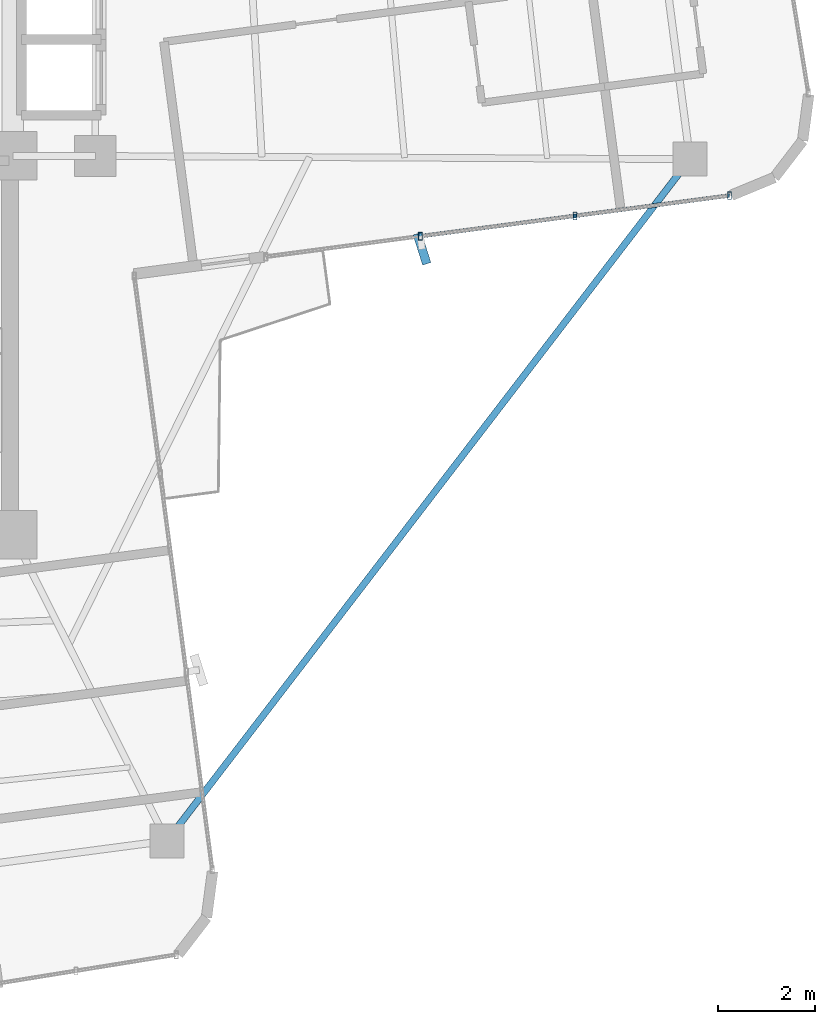
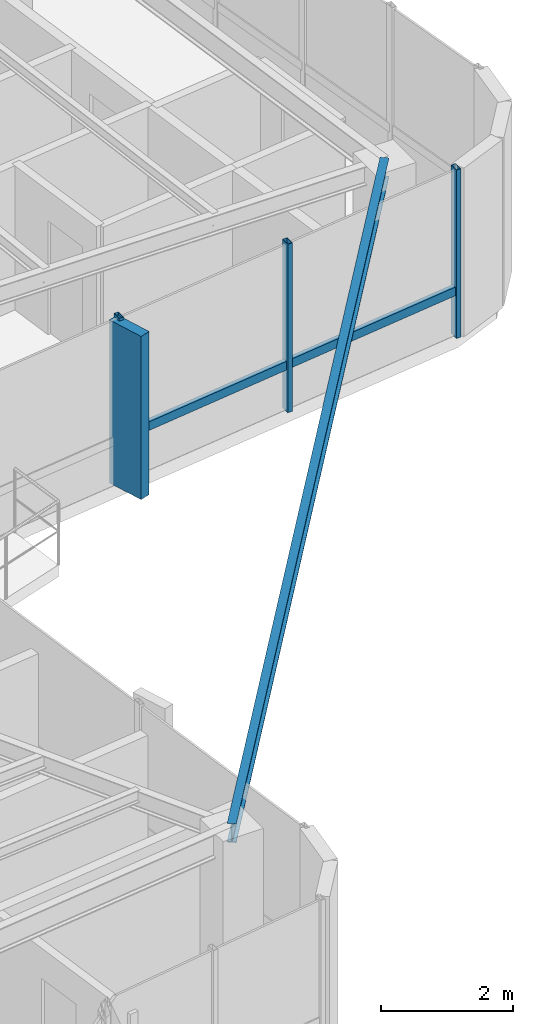
# One storey, part 12 of 22: 6 members, 1 beam, 1 element without a shape of its own.
"""IFC4 building model written with IfcOpenShell, lengths in metres."""

from ifc_helpers import new_model, si_unit, direction, frame, origin, origin_2d, place, context, subcontext, project, spatial, rectangle, hollow_rectangle, i_section, extrude, source, transform, mapped, material, material_profile, profile_set, type_object, element, aggregate, save


model = new_model("IFC4")

# Units and contexts
model_context = context("Model", 3, precision=1e-05, world=origin(), true_north=direction((0.0, 1.0)))
body_context = subcontext(model_context, "Body", "Model", "MODEL_VIEW")
ifc_project = project(units=[si_unit("LENGTHUNIT", "METRE"), si_unit("AREAUNIT", "SQUARE_METRE"), si_unit("VOLUMEUNIT", "CUBIC_METRE"), si_unit("PLANEANGLEUNIT", "RADIAN"), si_unit("MASSUNIT", "GRAM", prefix="KILO")], contexts=[model_context])

# Site, building, storey
site_placement = place(None, origin())
site = spatial("IfcSite", under=ifc_project, at=site_placement, CompositionType="ELEMENT")
building_placement = place(site_placement, origin())
building = spatial("IfcBuilding", under=site, at=building_placement, Name="Sahyath Konkavel Grand Hotel", CompositionType="ELEMENT")
storey_placement = place(building_placement, frame((0.0, 0.0, 247.85009765625)))
storey = spatial("IfcBuildingStorey", under=building, at=storey_placement, Name="L69", CompositionType="ELEMENT", Elevation=247.85009765625)

# Beam
ifc_material_1 = material(Name="Steel E350", Category="steel")
ifc_material_profile_1 = material_profile(ifc_material_1, i_section(OverallWidth=0.139892578125, OverallDepth=0.35009765625, WebThickness=0.008056640625, FlangeThickness=0.01416015625, FilletRadius=0.013916015625, at=origin_2d()), Name="ISMB 350")
ifc_profile_set_1 = profile_set([ifc_material_profile_1], Name="Steel E350")
beam_type = type_object("IfcBeamType", Name="BM-ISMB350", PredefinedType="BEAM", material=ifc_profile_set_1)
shared_shape_1 = source(origin(), body_context, "Body", "SweptSolid", [
    extrude(i_section(OverallWidth=0.139892578125, OverallDepth=0.35009765625, WebThickness=0.008056640625, FlangeThickness=0.01416015625, FilletRadius=0.013916015625, at=origin_2d()), origin(), (0.0, 0.0, 1.0), 17.70166015625),
])
beam_placement = place(storey_placement, frame((17.75390625, -2.466796875, 2.934814453125), z_axis=(-0.608761860187, -0.793353009437, 0.0), x_axis=(0.793353009437, -0.608761860187, 0.0)))
element("IfcBeam", 1, at=beam_placement, inside=storey, type_object=beam_type, Name="L69 Re-Entrant Tie Beam SE", PredefinedType="BEAM", context=body_context, shape_type="MappedRepresentation", body=[
    mapped(shared_shape_1, transform((0.0, 0.0, 0.0), scale=1.0)),
])

# Curtain wall, members
ifc_material_2 = material(Name="Anodised Bronze Aluminium & Low-E Glazing", Category="aluminium")
curtain_wall_type = type_object("IfcCurtainWallType", Name="CW-ZONE4", PredefinedType="NOTDEFINED", material=ifc_material_2)
curtain_wall_placement = place(storey_placement, origin())
curtain_wall = element("IfcCurtainWall", 2, at=curtain_wall_placement, inside=storey, type_object=curtain_wall_type, Name="L69 Unitised Curtain Wall F0", PredefinedType="NOTDEFINED")
ifc_material_3 = material(Name="Anodised Bronze Aluminium", Category="aluminium")
ifc_material_profile_2 = material_profile(ifc_material_3, hollow_rectangle(XDim=0.080078125, YDim=0.159912109375, WallThickness=0.006103515625, at=origin_2d()), Name="RHS 160x80x6")
ifc_profile_set_2 = profile_set([ifc_material_profile_2], Name="Anodised Bronze Aluminium")
member_type_1 = type_object("IfcMemberType", Name="CW-MUL-160", PredefinedType="MULLION", material=ifc_profile_set_2)
shared_shape_2 = source(origin(), body_context, "Body", "SweptSolid", [
    extrude(hollow_rectangle(XDim=0.080078125, YDim=0.159912109375, WallThickness=0.006103515625, at=origin_2d()), origin(), (0.0, 0.0, 1.0), 3.10986328125),
])
member_1_placement = place(storey_placement, frame((12.198974609375, -4.055419921875, 0.0), z_axis=(0.0, 0.0, 1.0), x_axis=(1.0, 0.0, 0.0)))
member_1 = element("IfcMember", 3, at=member_1_placement, type_object=member_type_1, Name="L69 Curtain Wall Mullion F0-1", PredefinedType="MULLION", context=body_context, shape_type="MappedRepresentation", body=[
    mapped(shared_shape_2, transform((0.0, 0.0, 0.0), scale=1.0)),
])
member_2_placement = place(storey_placement, frame((15.3837890625, -3.635986328125, 0.0), z_axis=(0.0, 0.0, 1.0), x_axis=(1.0, 0.0, 0.0)))
member_2 = element("IfcMember", 4, at=member_2_placement, type_object=member_type_1, Name="L69 Curtain Wall Mullion F0-2", PredefinedType="MULLION", context=body_context, shape_type="MappedRepresentation", body=[
    mapped(shared_shape_2, transform((0.0, 0.0, 0.0), scale=1.0)),
])
member_3_placement = place(storey_placement, frame((18.568603515625, -3.216796875, 0.0), z_axis=(0.0, 0.0, 1.0), x_axis=(1.0, 0.0, 0.0)))
member_3 = element("IfcMember", 5, at=member_3_placement, type_object=member_type_1, Name="L69 Curtain Wall Mullion F0-3", PredefinedType="MULLION", context=body_context, shape_type="MappedRepresentation", body=[
    mapped(shared_shape_2, transform((0.0, 0.0, 0.0), scale=1.0)),
])
ifc_material_4 = material(Name="Warm Buff Sandstone Cladding on Concrete C50/60", Category="masonry")
ifc_material_profile_3 = material_profile(ifc_material_4, rectangle(XDim=0.179931640625, YDim=0.64990234375, at=origin_2d()), Name="FIN 180x650")
ifc_profile_set_3 = profile_set([ifc_material_profile_3], Name="Warm Buff Sandstone Cladding on Concrete C50/60")
member_type_2 = type_object("IfcMemberType", Name="FIN-SANDSTONE-650", PredefinedType="MULLION", material=ifc_profile_set_3)
shared_shape_3 = source(origin(), body_context, "Body", "SweptSolid", [
    extrude(rectangle(XDim=0.179931640625, YDim=0.64990234375, at=origin_2d()), origin(), (0.0, 0.0, 1.0), 3.010009765625),
])
member_4_placement = place(storey_placement, frame((12.23291015625, -4.313232421875, 0.0498046875), z_axis=(0.0, 0.0, 1.0), x_axis=(0.953348857629, 0.301870759858, 0.0)))
member_4 = element("IfcMember", 6, at=member_4_placement, type_object=member_type_2, Name="L69 Sandstone Vertical Solar Fin FIN F0-1", PredefinedType="MULLION", context=body_context, shape_type="MappedRepresentation", body=[
    mapped(shared_shape_3, transform((0.0, 0.0, 0.0), scale=1.0)),
])
ifc_material_profile_4 = material_profile(ifc_material_3, hollow_rectangle(XDim=0.080078125, YDim=0.159912109375, WallThickness=0.006103515625, at=origin_2d()), Name="RHS 160x80x6")
ifc_profile_set_4 = profile_set([ifc_material_profile_4], Name="Anodised Bronze Aluminium")
member_type_3 = type_object("IfcMemberType", Name="CW-TRN-160", PredefinedType="USERDEFINED", material=ifc_profile_set_4)
shared_shape_4 = source(origin(), body_context, "Body", "SweptSolid", [
    extrude(hollow_rectangle(XDim=0.080078125, YDim=0.159912109375, WallThickness=0.006103515625, at=origin_2d()), origin(), (0.0, 0.0, 1.0), 3.21240234375),
])
member_5_placement = place(storey_placement, frame((12.198974609375, -4.055419921875, 0.849853515625), z_axis=(0.991439026381, 0.130570505736, 0.0), x_axis=(-0.130570505736, 0.991439026381, 0.0)))
member_5 = element("IfcMember", 7, at=member_5_placement, type_object=member_type_3, Name="L69 Curtain Wall Transom F0-1-spandrel", ObjectType="TRANSOM", PredefinedType="USERDEFINED", context=body_context, shape_type="MappedRepresentation", body=[
    mapped(shared_shape_4, transform((0.0, 0.0, 0.0), scale=1.0)),
])
member_6_placement = place(storey_placement, frame((15.3837890625, -3.635986328125, 0.849853515625), z_axis=(0.991448862258, 0.130495798888, 0.0), x_axis=(-0.130495798888, 0.991448862258, 0.0)))
member_6 = element("IfcMember", 8, at=member_6_placement, type_object=member_type_3, Name="L69 Curtain Wall Transom F0-2-spandrel", ObjectType="TRANSOM", PredefinedType="USERDEFINED", context=body_context, shape_type="MappedRepresentation", body=[
    mapped(shared_shape_4, transform((0.0, 0.0, 0.0), scale=1.0)),
])
aggregate(curtain_wall, [member_1, member_4, member_2, member_3, member_5, member_6])

save(model, "model.ifc")
